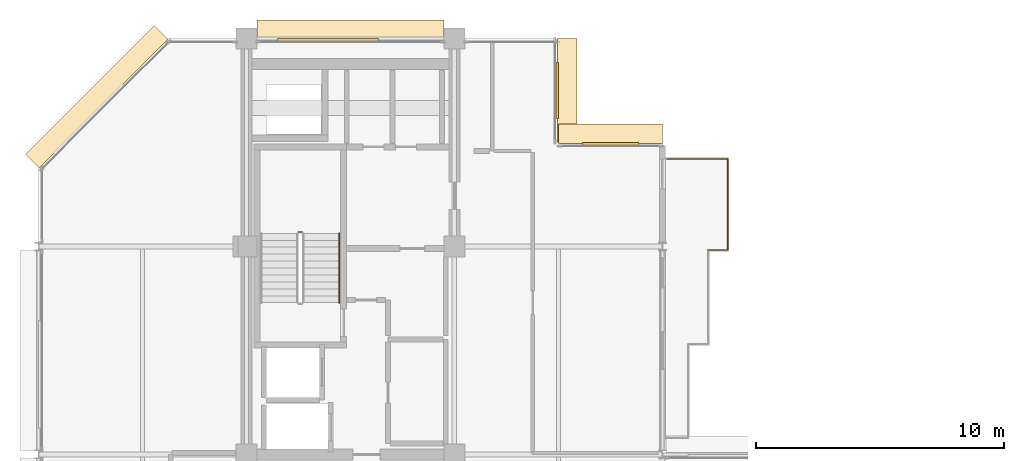
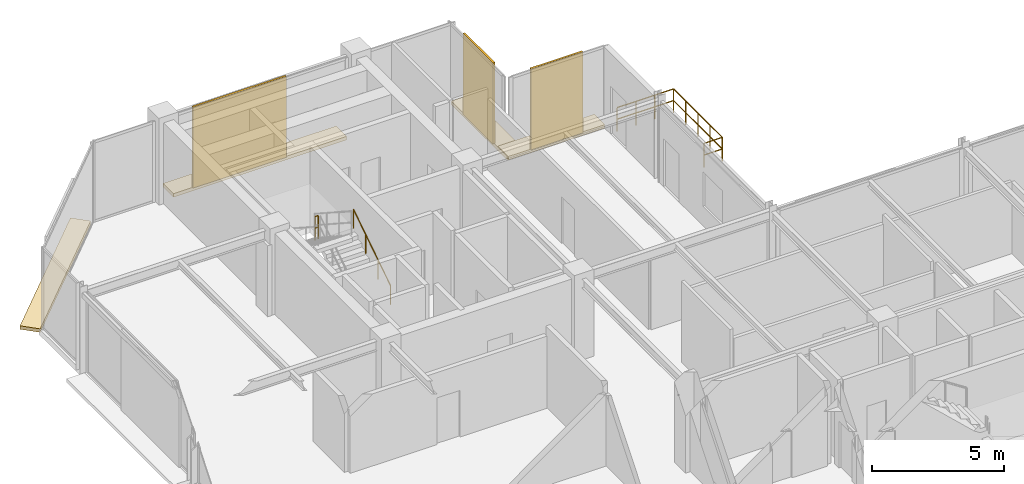
# One storey, part 27 of 27: 7 coverings, 5 railings.
"""IFC4 building model written with IfcOpenShell, lengths in metres."""

from ifc_helpers import new_model, si_unit, direction, frame, origin, origin_2d, place, context, subcontext, project, spatial, polyline, rectangle, circle, outline, extrude, material, layer, layer_set, type_object, element, save


model = new_model("IFC4")

# Units and contexts
model_context = context("Model", 3, precision=1e-05, world=origin(), true_north=direction((0.0, 1.0)))
body_context = subcontext(model_context, "Body", "Model", "MODEL_VIEW")
ifc_project = project(units=[si_unit("LENGTHUNIT", "METRE"), si_unit("AREAUNIT", "SQUARE_METRE"), si_unit("VOLUMEUNIT", "CUBIC_METRE"), si_unit("PLANEANGLEUNIT", "RADIAN"), si_unit("MASSUNIT", "GRAM", prefix="KILO")], contexts=[model_context])

# Site, building, storey
site_placement = place(None, origin())
site = spatial("IfcSite", under=ifc_project, at=site_placement, CompositionType="ELEMENT")
building_placement = place(site_placement, origin())
building = spatial("IfcBuilding", under=site, at=building_placement, Name="Nerrivon Quay Data Exchange", CompositionType="ELEMENT")
storey_placement = place(building_placement, frame((0.0, 0.0, 254.199951171875)))
storey = spatial("IfcBuildingStorey", under=building, at=storey_placement, Name="L60", CompositionType="ELEMENT", Elevation=254.199951171875)

# Coverings
ifc_material_1 = material(Name="Architectural terracotta ceramic", Category="masonry")
ifc_layer_1 = layer(ifc_material_1, 0.159912109375)
ifc_layer_set_1 = layer_set([ifc_layer_1], Name="Architectural terracotta ceramic")
covering_type_1 = type_object("IfcCoveringType", Name="COV-BLD-TERR", PredefinedType="CLADDING", material=ifc_layer_set_1)
covering_1_placement = place(storey_placement, frame((0.0, 0.0, -0.159912109375)))
element("IfcCovering", 1, at=covering_1_placement, inside=storey, type_object=covering_type_1, Name="L60 Horizontal Terracotta SOLAR SCREEN Blade", PredefinedType="CLADDING", context=body_context, shape_type="SweptSolid", body=[
    extrude(outline(polyline([(0.0283203125, 36.771728515625), (5.228271484375, 41.9716796875), (4.669677734375, 42.5302734375), (-0.5302734375, 37.330322265625), (0.0283203125, 36.771728515625)])), origin(), (0.0, 0.0, 1.0), 0.159912109375),
])
covering_2_placement = place(storey_placement, frame((0.0, 0.0, -0.159912109375)))
element("IfcCovering", 2, at=covering_2_placement, inside=storey, type_object=covering_type_1, Name="L60 Horizontal Terracotta SOLAR SCREEN Blade", PredefinedType="CLADDING", context=body_context, shape_type="SweptSolid", body=[
    extrude(outline(polyline([(8.824951171875, 41.9599609375), (16.375, 41.9599609375), (16.375, 42.75), (8.824951171875, 42.75), (8.824951171875, 41.9599609375)])), origin(), (0.0, 0.0, 1.0), 0.159912109375),
])
covering_3_placement = place(storey_placement, frame((0.0, 0.0, -0.159912109375)))
element("IfcCovering", 3, at=covering_3_placement, inside=storey, type_object=covering_type_1, Name="L60 Horizontal Terracotta SOLAR SCREEN Blade", PredefinedType="CLADDING", context=body_context, shape_type="SweptSolid", body=[
    extrude(outline(polyline([(20.9599609375, 42.0), (20.9599609375, 37.800048828125), (21.75, 37.800048828125), (21.75, 42.0), (20.9599609375, 42.0)])), origin(), (0.0, 0.0, 1.0), 0.159912109375),
])
covering_4_placement = place(storey_placement, frame((0.0, 0.0, -0.159912109375)))
element("IfcCovering", 4, at=covering_4_placement, inside=storey, type_object=covering_type_1, Name="L60 Horizontal Terracotta SOLAR SCREEN Blade", PredefinedType="CLADDING", context=body_context, shape_type="SweptSolid", body=[
    extrude(outline(polyline([(21.0, 37.760009765625), (25.199951171875, 37.760009765625), (25.199951171875, 38.550048828125), (21.0, 38.550048828125), (21.0, 37.760009765625)])), origin(), (0.0, 0.0, 1.0), 0.159912109375),
])
ifc_layer_2 = layer(ifc_material_1, 0.090087890625)
ifc_layer_set_2 = layer_set([ifc_layer_2], Name="Architectural terracotta ceramic")
covering_type_2 = type_object("IfcCoveringType", Name="COV-SCR-TERR", PredefinedType="CLADDING", material=ifc_layer_set_2)
covering_5_placement = place(storey_placement, frame((11.694091796875, 41.955078125, 0.0), z_axis=(0.0, 0.0, 1.0), x_axis=(1.0, 0.0, 0.0)))
element("IfcCovering", 5, at=covering_5_placement, inside=storey, type_object=covering_type_2, Name="L60 Perforated Terracotta SOLAR SCREEN Cassette", PredefinedType="CLADDING", context=body_context, shape_type="SweptSolid", body=[
    extrude(rectangle(XDim=4.076904296875, YDim=0.090087890625, at=origin_2d()), origin(), (0.0, 0.0, 1.0), 3.72509765625),
])
for number, where, z_axis, x_axis, name in (
    (6, (20.955078125, 39.89990234375, 0.0), (0.0, 0.0, 1.0), (0.0, -1.0, 0.0), "L60 Perforated Terracotta SOLAR SCREEN Cassette"),
    (7, (23.10009765625, 37.7548828125, 0.0), (0.0, 0.0, 1.0), (1.0, 0.0, 0.0), "L60 Perforated Terracotta SOLAR SCREEN Cassette"),
):
    element("IfcCovering", number, at=place(storey_placement, frame(where, z_axis=z_axis, x_axis=x_axis)), inside=storey, type_object=covering_type_2, Name=name, PredefinedType="CLADDING", context=body_context, shape_type="SweptSolid", body=[
        extrude(rectangle(XDim=2.26806640625, YDim=0.090087890625, at=origin_2d()), origin(), (0.0, 0.0, 1.0), 3.72509765625),
    ])

# Railings
ifc_material_2 = material(Name="Steel Grade C350L0 (350 MPa)", Category="steel")
railing_type_1 = type_object("IfcRailingType", Name="RAIL-GUARD-GR2", PredefinedType="BALUSTRADE", material=ifc_material_2)
railing_1_placement = place(storey_placement, frame((25.3798828125, 37.139892578125, 0.0)))
element("IfcRailing", 8, at=railing_1_placement, inside=storey, type_object=railing_type_1, Name="L60 Verandah Balcony Guard 1.3 1", PredefinedType="BALUSTRADE", context=body_context, shape_type="SweptSolid", body=[
    extrude(circle(Radius=0.02392578125, at=origin_2d()), frame((0.0, 0.0, 1.09619140625), z_axis=(1.0, 0.0, 0.0), x_axis=(0.0, 1.0, 0.0)), (0.0, 0.0, 1.0), 2.460205078125),
    extrude(circle(Radius=0.02392578125, at=origin_2d()), frame((0.0, 0.0, 0.56005859375), z_axis=(1.0, 0.0, 0.0), x_axis=(0.0, 1.0, 0.0)), (0.0, 0.0, 1.0), 2.460205078125),
    extrude(circle(Radius=0.02099609375, at=origin_2d()), origin(), (0.0, 0.0, 1.0), 1.072021484375),
    extrude(circle(Radius=0.02099609375, at=origin_2d()), frame((0.820068359375, 0.0, 0.0)), (0.0, 0.0, 1.0), 1.072021484375),
    extrude(circle(Radius=0.02099609375, at=origin_2d()), frame((1.64013671875, 0.0, 0.0)), (0.0, 0.0, 1.0), 1.072021484375),
    extrude(circle(Radius=0.02099609375, at=origin_2d()), frame((2.460205078125, 0.0, 0.0)), (0.0, 0.0, 1.0), 1.072021484375),
])
railing_2_placement = place(storey_placement, frame((27.840087890625, 37.139892578125, 0.0)))
element("IfcRailing", 9, at=railing_2_placement, inside=storey, type_object=railing_type_1, Name="L60 Verandah Balcony Guard 1.4 1", PredefinedType="BALUSTRADE", context=body_context, shape_type="SweptSolid", body=[
    extrude(circle(Radius=0.02392578125, at=origin_2d()), frame((0.0, 0.0, 1.09619140625), z_axis=(0.0, -1.0, 0.0), x_axis=(1.0, 0.0, 0.0)), (0.0, 0.0, 1.0), 3.679931640625),
    extrude(circle(Radius=0.02392578125, at=origin_2d()), frame((0.0, 0.0, 0.56005859375), z_axis=(0.0, -1.0, 0.0), x_axis=(1.0, 0.0, 0.0)), (0.0, 0.0, 1.0), 3.679931640625),
    extrude(circle(Radius=0.02099609375, at=origin_2d()), origin(), (0.0, 0.0, 1.0), 1.072021484375),
    extrude(circle(Radius=0.02099609375, at=origin_2d()), frame((0.0, -0.919921875, 0.0)), (0.0, 0.0, 1.0), 1.072021484375),
    extrude(circle(Radius=0.02099609375, at=origin_2d()), frame((0.0, -1.83984375, 0.0)), (0.0, 0.0, 1.0), 1.072021484375),
    extrude(circle(Radius=0.02099609375, at=origin_2d()), frame((0.0, -2.760009765625, 0.0)), (0.0, 0.0, 1.0), 1.072021484375),
    extrude(circle(Radius=0.02099609375, at=origin_2d()), frame((0.0, -3.679931640625, 0.0)), (0.0, 0.0, 1.0), 1.072021484375),
])
railing_3_placement = place(storey_placement, frame((27.840087890625, 33.4599609375, 0.0)))
element("IfcRailing", 10, at=railing_3_placement, inside=storey, type_object=railing_type_1, Name="L60 Verandah Balcony Guard 1.5 1", PredefinedType="BALUSTRADE", context=body_context, shape_type="SweptSolid", body=[
    extrude(circle(Radius=0.02392578125, at=origin_2d()), frame((0.0, 0.0, 1.09619140625), z_axis=(-1.0, 0.0, 0.0), x_axis=(0.0, -1.0, 0.0)), (0.0, 0.0, 1.0), 0.800048828125),
    extrude(circle(Radius=0.02392578125, at=origin_2d()), frame((0.0, 0.0, 0.56005859375), z_axis=(-1.0, 0.0, 0.0), x_axis=(0.0, -1.0, 0.0)), (0.0, 0.0, 1.0), 0.800048828125),
    extrude(circle(Radius=0.02099609375, at=origin_2d()), origin(), (0.0, 0.0, 1.0), 1.072021484375),
    extrude(circle(Radius=0.02099609375, at=origin_2d()), frame((-0.800048828125, 0.0, 0.0)), (0.0, 0.0, 1.0), 1.072021484375),
])
railing_type_2 = type_object("IfcRailingType", Name="RAIL-HAND-HR1", PredefinedType="HANDRAIL", material=ifc_material_2)
railing_4_placement = place(storey_placement, frame((12.14990234375, 31.330078125, 0.181884765625)))
element("IfcRailing", 11, at=railing_4_placement, inside=storey, type_object=railing_type_2, Name="L60 ST01 stair handrail 1", PredefinedType="HANDRAIL", context=body_context, shape_type="SweptSolid", body=[
    extrude(circle(Radius=0.02392578125, at=origin_2d()), frame((0.0, 0.0, 0.8759765625), z_axis=(0.0, 0.83868413941, 0.544618136222), x_axis=(-1.0, 0.0, 0.0)), (0.0, 0.0, 1.0), 3.33837890625),
    extrude(circle(Radius=0.02099609375, at=origin_2d()), origin(), (0.0, 0.0, 1.0), 0.851806640625),
    extrude(circle(Radius=0.02099609375, at=origin_2d()), frame((0.0, 0.933349609375, 0.60595703125)), (0.0, 0.0, 1.0), 0.851806640625),
    extrude(circle(Radius=0.02099609375, at=origin_2d()), frame((0.0, 1.866455078125, 1.212158203125)), (0.0, 0.0, 1.0), 0.851806640625),
    extrude(circle(Radius=0.02099609375, at=origin_2d()), frame((0.0, 2.7998046875, 1.818115234375)), (0.0, 0.0, 1.0), 0.851806640625),
])
railing_type_3 = type_object("IfcRailingType", Name="RAIL-STAIR-GR1", PredefinedType="BALUSTRADE", material=ifc_material_2)
railing_5_placement = place(storey_placement, frame((10.64990234375, 34.179931640625, 2.0)))
element("IfcRailing", 12, at=railing_5_placement, inside=storey, type_object=railing_type_3, Name="L60 ST01 stair guard 2", PredefinedType="BALUSTRADE", context=body_context, shape_type="SweptSolid", body=[
    extrude(circle(Radius=0.02392578125, at=origin_2d()), frame((0.0, 0.0, 1.076171875), z_axis=(-1.0, 0.0, 0.0), x_axis=(0.0, -1.0, 0.0)), (0.0, 0.0, 1.0), 0.14990234375),
    extrude(circle(Radius=0.02392578125, at=origin_2d()), frame((0.0, 0.0, 0.550048828125), z_axis=(-1.0, 0.0, 0.0), x_axis=(0.0, -1.0, 0.0)), (0.0, 0.0, 1.0), 0.14990234375),
    extrude(circle(Radius=0.02099609375, at=origin_2d()), origin(), (0.0, 0.0, 1.0), 1.052001953125),
    extrude(circle(Radius=0.02099609375, at=origin_2d()), frame((-0.14990234375, 0.0, 0.0)), (0.0, 0.0, 1.0), 1.052001953125),
])

save(model, "model.ifc")
